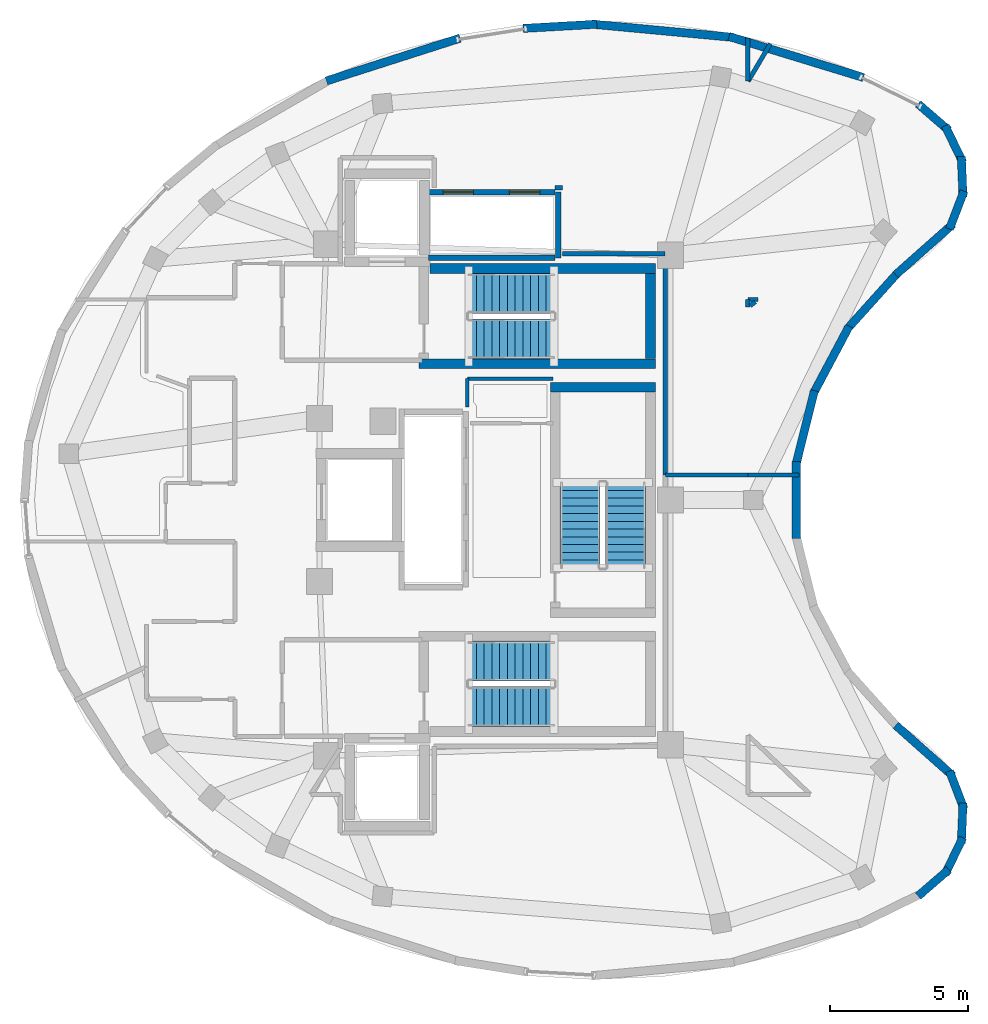
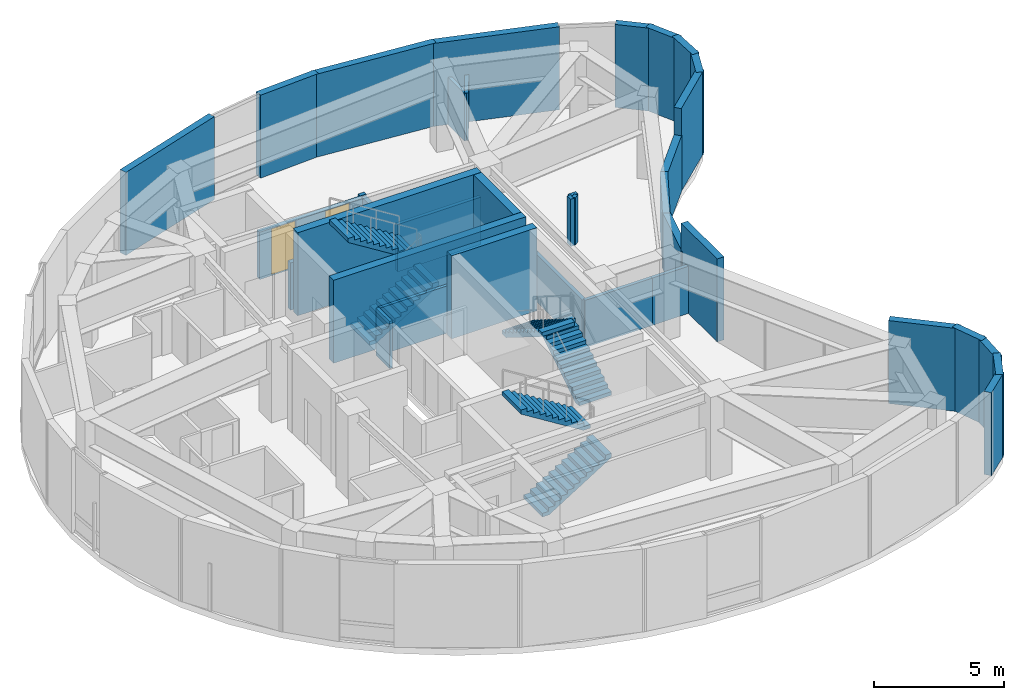
# One storey, part 5 of 6: 37 walls, 6 stair flights, 2 doors, 2 openings, 3 elements without a shape of their own.
"""IFC4 building model written with IfcOpenShell, lengths in metres."""

import ifcopenshell
import ifcopenshell.guid

model = None  # the IFC model being written
_history = None  # IfcOwnerHistory: only IFC2X3 demands one
_inside = {}  # id of a spatial element -> (the spatial element, [elements in it])
_under = {}  # id of a project, library or spatial element -> (it, [spatial elements below it])
_declared = {}  # id of a project -> (the project, [libraries it declares])
_typed = {}  # id of a type object -> (the type object, [elements of that type])
_made_of = {}  # id of a material, layer set ... -> (it, [elements and type objects made of it])


def new_model(schema):
    """Start an empty IFC model of exactly this schema.

    Asked for "IFC4X3", IfcOpenShell would pick the latest addendum, in which some entities
    have other attributes; the version numbers below select the first issue.
    IFC2X3 requires an IfcOwnerHistory on every rooted entity: one is made here for all.
    """
    global model, _history
    if schema == "IFC4X3":
        model = ifcopenshell.file(schema_version=(4, 3, 0, 0))
    else:
        model = ifcopenshell.file(schema=schema)
    _inside.clear()
    _under.clear()
    _declared.clear()
    _typed.clear()
    _made_of.clear()
    _history = None
    if model.schema == "IFC2X3":
        org = make("IfcOrganization", Name="unknown")
        user = make(
            "IfcPersonAndOrganization",
            ThePerson=make("IfcPerson", FamilyName="unknown"),
            TheOrganization=org,
        )
        app = make(
            "IfcApplication",
            ApplicationDeveloper=org,
            Version="unknown",
            ApplicationFullName="unknown",
            ApplicationIdentifier="unknown",
        )
        _history = make(
            "IfcOwnerHistory",
            OwningUser=user,
            OwningApplication=app,
            ChangeAction="ADDED",
            CreationDate=0,
        )
    return model


def make(cls, **values):
    """One entity of the class cls with the attributes given. An attribute that is None is left unset."""
    return model.create_entity(
        cls, **{name: value for name, value in values.items() if value is not None}
    )


def rooted(cls, **values):
    """An entity with a GlobalId (a new one), such as an element, a storey or a relation."""
    return make(cls, GlobalId=ifcopenshell.guid.new(), OwnerHistory=_history, **values)


def si_unit(unit_type, name, prefix=None):
    """IfcSIUnit, for example si_unit("LENGTHUNIT", "METRE", prefix="MILLI")."""
    return make("IfcSIUnit", UnitType=unit_type, Prefix=prefix, Name=name)


def assignment(units):
    """IfcUnitAssignment: the units of a project."""
    return None if units is None else make("IfcUnitAssignment", Units=units)


def point(xyz):
    """IfcCartesianPoint."""
    return None if xyz is None else make("IfcCartesianPoint", Coordinates=xyz)


def direction(xyz):
    """IfcDirection."""
    return None if xyz is None else make("IfcDirection", DirectionRatios=xyz)


def frame(location, z_axis=None, x_axis=None):
    """IfcAxis2Placement3D, a coordinate frame: its origin and axes. An axis left out is left unset."""
    return make(
        "IfcAxis2Placement3D",
        Location=point(location),
        Axis=direction(z_axis),
        RefDirection=direction(x_axis),
    )


def frame_2d(location, x_axis=None):
    """IfcAxis2Placement2D, a coordinate frame in the plane: its origin and x axis."""
    return make(
        "IfcAxis2Placement2D", Location=point(location), RefDirection=direction(x_axis)
    )


def origin():
    """The frame at (0, 0, 0) with its axes left unset."""
    return frame((0.0, 0.0, 0.0))


def place(relative_to, where):
    """IfcLocalPlacement: puts the frame where relative to a parent placement (None: the world)."""
    return make(
        "IfcLocalPlacement", PlacementRelTo=relative_to, RelativePlacement=where
    )


def context(
    kind, dimensions, precision=None, world=None, true_north=None, identifier=None
):
    """IfcGeometricRepresentationContext, for example the 3D "Model" context."""
    return make(
        "IfcGeometricRepresentationContext",
        ContextIdentifier=identifier,
        ContextType=kind,
        CoordinateSpaceDimension=dimensions,
        Precision=precision,
        WorldCoordinateSystem=world,
        TrueNorth=true_north,
    )


def subcontext(parent, identifier, kind, view, scale=None):
    """IfcGeometricRepresentationSubContext, for example "Body" below "Model"."""
    return make(
        "IfcGeometricRepresentationSubContext",
        ContextIdentifier=identifier,
        ContextType=kind,
        ParentContext=parent,
        TargetScale=scale,
        TargetView=view,
    )


def project(units=None, contexts=None):
    """IfcProject with its units and contexts."""
    return rooted(
        "IfcProject",
        Name="project",
        RepresentationContexts=contexts,
        UnitsInContext=assignment(units),
    )


def spatial(cls, under=None, at=None, **own):
    """A site, building, storey or space (cls), placed at a placement, below another one or the project."""
    s = rooted(cls, ObjectPlacement=at, **own)
    if under is not None:
        _under.setdefault(under.id(), (under, []))[1].append(s)
    return s


def polyline(points):
    """IfcPolyline through the points."""
    return make("IfcPolyline", Points=[point(p) for p in points])


def profile(cls, at=None, kind="AREA", **sizes):
    """A parametric profile (cls). Its sizes go by their IFC names, for example OverallWidth=200.0."""
    return make(cls, ProfileType=kind, Position=at, **sizes)


def rectangle(**sizes):
    """IfcRectangleProfileDef."""
    return profile("IfcRectangleProfileDef", **sizes)


def outline(outer, holes=None, kind="AREA"):
    """IfcArbitraryClosedProfileDef: a profile drawn as a closed curve; with holes, ...WithVoids."""
    if holes is None:
        return make("IfcArbitraryClosedProfileDef", ProfileType=kind, OuterCurve=outer)
    return make(
        "IfcArbitraryProfileDefWithVoids",
        ProfileType=kind,
        OuterCurve=outer,
        InnerCurves=holes,
    )


def extrude(swept, where, along, depth):
    """IfcExtrudedAreaSolid: the profile swept, set in the frame where, extruded along a direction by depth."""
    return make(
        "IfcExtrudedAreaSolid",
        SweptArea=swept,
        Position=where,
        ExtrudedDirection=direction(along),
        Depth=depth,
    )


def shape(context_of_items, identifier, shape_type, items):
    """IfcShapeRepresentation: the items that make up one representation, for example the "Body"."""
    return make(
        "IfcShapeRepresentation",
        ContextOfItems=context_of_items,
        RepresentationIdentifier=identifier,
        RepresentationType=shape_type,
        Items=items,
    )


def material(Name=None, Category=None):
    """IfcMaterial."""
    return make("IfcMaterial", Name=Name, Category=Category)


def layer(
    of_material, thickness, ventilated=None, Name=None, Category=None, Priority=None
):
    """IfcMaterialLayer: one layer of a wall or slab, of a material (None: an air gap)."""
    return make(
        "IfcMaterialLayer",
        Material=of_material,
        LayerThickness=thickness,
        IsVentilated=ventilated,
        Name=Name,
        Category=Category,
        Priority=Priority,
    )


def layer_set(layers, Name=None):
    """IfcMaterialLayerSet."""
    return make("IfcMaterialLayerSet", MaterialLayers=layers, LayerSetName=Name)


def made_of(thing, what):
    """Note that an element or type object is made of a material, layer set ...; save() writes the relation."""
    if what is not None:
        _made_of.setdefault(what.id(), (what, []))[1].append(thing)
    return thing


def type_object(cls, material=None, **own):
    """A type object (cls), such as IfcWallType, which elements share."""
    return made_of(rooted(cls, **own), material)


def element(
    cls,
    number,
    at=None,
    inside=None,
    cuts=None,
    type_object=None,
    material=None,
    context=None,
    identifier="Body",
    shape_type=None,
    held_by="IfcProductDefinitionShape",
    body=None,
    shapes=None,
    **own,
):
    """One element of the class cls, such as IfcWall. Its Tag is "e" and its number.

    at: its placement. inside: the storey or other place that contains it. cuts: it is an
    opening in that element (IfcRelVoidsElement). A single representation is given by context,
    identifier, shape_type and body (its items); several are given by shapes. held_by: the class
    of the entity that holds the representations. save() writes the other relations.
    """
    e = rooted(cls, Tag="e%d" % number, ObjectPlacement=at, **own)
    if body is not None:
        shapes = [shape(context, identifier, shape_type, body)]
    if shapes is not None:
        e.Representation = make(held_by, Representations=shapes)
    if inside is not None:
        _inside.setdefault(inside.id(), (inside, []))[1].append(e)
    if cuts is not None:
        rooted(
            "IfcRelVoidsElement", RelatingBuildingElement=cuts, RelatedOpeningElement=e
        )
    if type_object is not None:
        _typed.setdefault(type_object.id(), (type_object, []))[1].append(e)
    return made_of(e, material)


def fill(opening, filler):
    """IfcRelFillsElement: the door or window that sits in an opening."""
    return rooted(
        "IfcRelFillsElement",
        RelatingOpeningElement=opening,
        RelatedBuildingElement=filler,
    )


def aggregate(whole, parts):
    """IfcRelAggregates: a whole, such as a stair, and the parts it consists of."""
    return rooted("IfcRelAggregates", RelatingObject=whole, RelatedObjects=parts)


def save(model, path):
    """Write the relations noted so far, then the file.

    IfcRelAggregates (storeys below a building ...), IfcRelContainedInSpatialStructure (elements
    in a storey), IfcRelDefinesByType, IfcRelAssociatesMaterial and IfcRelDeclares: one each for
    every whole, place, type object, material and project.
    """
    for whole, parts in _under.values():
        aggregate(whole, parts)
    for where, things in _inside.values():
        rooted(
            "IfcRelContainedInSpatialStructure",
            RelatedElements=things,
            RelatingStructure=where,
        )
    for kind, things in _typed.values():
        rooted("IfcRelDefinesByType", RelatedObjects=things, RelatingType=kind)
    for what, things in _made_of.values():
        rooted("IfcRelAssociatesMaterial", RelatedObjects=things, RelatingMaterial=what)
    for by, libraries in _declared.values():
        rooted("IfcRelDeclares", RelatingContext=by, RelatedDefinitions=libraries)
    model.write(path)


model = new_model("IFC4")

# Units and contexts
model_context = context("Model", 3, precision=1e-05, world=origin(), true_north=direction((0.0, 1.0)))
body_context = subcontext(model_context, "Body", "Model", "MODEL_VIEW")
ifc_project = project(units=[si_unit("LENGTHUNIT", "METRE"), si_unit("AREAUNIT", "SQUARE_METRE"), si_unit("VOLUMEUNIT", "CUBIC_METRE"), si_unit("PLANEANGLEUNIT", "RADIAN"), si_unit("MASSUNIT", "GRAM", prefix="KILO")], contexts=[model_context])

# Site, building, storey
site_placement = place(None, origin())
site = spatial("IfcSite", under=ifc_project, at=site_placement, CompositionType="ELEMENT")
building_placement = place(site_placement, origin())
building = spatial("IfcBuilding", under=site, at=building_placement, Name="Korentha Bioscience Tower", CompositionType="ELEMENT")
storey_placement = place(building_placement, frame((0.0, 0.0, 327.0)))
storey = spatial("IfcBuildingStorey", under=building, at=storey_placement, Name="L75", CompositionType="ELEMENT", Elevation=327.0)

# Walls
ifc_material_1 = material(Name="Double-Stud Acoustic Gypsum", Category="gypsum")
ifc_layer_1 = layer(ifc_material_1, 0.14990234375, Name="Double-Stud Acoustic Gypsum")
ifc_layer_set_1 = layer_set([ifc_layer_1], Name="Double-Stud Acoustic Gypsum (IW-L150)")
wall_type_1 = type_object("IfcWallType", Name="Acoustic Laboratory Partition Wall 150", PredefinedType="PARTITIONING", material=ifc_layer_set_1)
wall_1_placement = place(storey_placement, frame((37.360107421875, 27.89794921875, 0.0), z_axis=(0.0, 0.0, 1.0), x_axis=(1.0, 0.0, 0.0)))
element("IfcWall", 1, at=wall_1_placement, inside=storey, type_object=wall_type_1, Name="L75 Interior Partition 031", PredefinedType="PARTITIONING", context=body_context, shape_type="SweptSolid", body=[
    extrude(rectangle(XDim=2.98779296875, YDim=0.14990234375, at=frame_2d((1.493896484375, 0.0))), origin(), (0.0, 0.0, 1.0), 2.219970703125),
])
wall_2_placement = place(storey_placement, frame((40.352294921875, 27.89794921875, 0.0), z_axis=(0.0, 0.0, 1.0), x_axis=(1.0, 0.0, 0.0)))
element("IfcWall", 2, at=wall_2_placement, inside=storey, type_object=wall_type_1, Name="L75 Interior Partition 032", PredefinedType="PARTITIONING", context=body_context, shape_type="SweptSolid", body=[
    extrude(rectangle(XDim=1.84130859375, YDim=0.14990234375, at=frame_2d((0.920654296875, 0.0))), origin(), (0.0, 0.0, 1.0), 2.219970703125),
])
ifc_material_2 = material(Name="Gypsum-Clad Steel Stud", Category="steel")
ifc_layer_2 = layer(ifc_material_2, 0.159912109375, Name="Gypsum-Clad Steel Stud")
ifc_layer_set_2 = layer_set([ifc_layer_2], Name="Gypsum-Clad Steel Stud (IW-C160)")
wall_type_2 = type_object("IfcWallType", Name="Fire-Rated Corridor Partition Wall 160", PredefinedType="PARTITIONING", material=ifc_layer_set_2)
wall_3_placement = place(storey_placement, frame((40.347900390625, 43.708251953125, 0.0), z_axis=(0.0, 0.0, 1.0), x_axis=(0.0, -1.0, 0.0)))
element("IfcWall", 3, at=wall_3_placement, inside=storey, type_object=wall_type_2, Name="L75 Interior Partition 039", PredefinedType="PARTITIONING", context=body_context, shape_type="SweptSolid", body=[
    extrude(rectangle(XDim=1.55908203125, YDim=0.159912109375, at=frame_2d((0.779541015625, 0.0))), origin(), (0.0, 0.0, 1.0), 2.219970703125),
])
wall_4_placement = place(storey_placement, frame((40.35546875, 42.147216796875, 0.0), z_axis=(0.0, 0.0, 1.0), x_axis=(0.509747160932, 0.860324259754, 0.0)))
element("IfcWall", 4, at=wall_4_placement, inside=storey, type_object=wall_type_2, Name="L75 Interior Partition 040", PredefinedType="PARTITIONING", context=body_context, shape_type="SweptSolid", body=[
    extrude(rectangle(XDim=1.5751953125, YDim=0.159912109375, at=frame_2d((0.78759765625, 0.0))), origin(), (0.0, 0.0, 1.0), 2.219970703125),
])
wall_5_placement = place(storey_placement, frame((37.360107421875, 27.907958984375, 0.0), z_axis=(0.0, 0.0, 1.0), x_axis=(0.0, 1.0, 0.0)))
element("IfcWall", 5, at=wall_5_placement, inside=storey, type_object=wall_type_2, Name="L75 Interior Partition 041", PredefinedType="PARTITIONING", context=body_context, shape_type="SweptSolid", body=[
    extrude(rectangle(XDim=7.991943359375, YDim=0.159912109375, at=frame_2d((3.99609375, 0.0))), origin(), (0.0, 0.0, 1.0), 2.219970703125),
])
wall_6_placement = place(storey_placement, frame((37.35009765625, 35.909912109375, 0.0), z_axis=(0.0, 0.0, 1.0), x_axis=(-1.0, 0.0, 0.0)))
element("IfcWall", 6, at=wall_6_placement, inside=storey, type_object=wall_type_2, Name="L75 Interior Partition 042", PredefinedType="PARTITIONING", context=body_context, shape_type="SweptSolid", body=[
    extrude(rectangle(XDim=3.7001953125, YDim=0.159912109375, at=frame_2d((1.85009765625, 0.0))), origin(), (0.0, 0.0, 1.0), 2.219970703125),
])
wall_7_placement = place(storey_placement, frame((33.639892578125, 38.300048828125, 0.0), z_axis=(0.0, 0.0, 1.0), x_axis=(-1.0, 0.0, 0.0)))
element("IfcWall", 7, at=wall_7_placement, inside=storey, type_object=wall_type_2, Name="L75 Interior Partition 043", PredefinedType="PARTITIONING", context=body_context, shape_type="SweptSolid", body=[
    extrude(rectangle(XDim=0.269775390625, YDim=0.159912109375, at=frame_2d((0.134765625, 0.0))), origin(), (0.0, 0.0, 1.0), 2.219970703125),
])
wall_8_placement = place(storey_placement, frame((40.430908203125, 34.029052734375, 0.0), z_axis=(0.0, 0.0, 1.0), x_axis=(0.789870612442, 0.613273524294, 0.0)))
element("IfcWall", 8, at=wall_8_placement, inside=storey, type_object=wall_type_2, Name="L75 Interior Partition 050", PredefinedType="PARTITIONING", context=body_context, shape_type="SweptSolid", body=[
    extrude(rectangle(XDim=0.22802734375, YDim=0.159912109375, at=frame_2d((0.114013671875, 0.0))), origin(), (0.0, 0.0, 1.0), 2.219970703125),
])
wall_9_placement = place(storey_placement, frame((40.7060546875, 34.251953125, 0.0), z_axis=(0.0, 0.0, 1.0), x_axis=(-1.0, 0.0, 0.0)))
element("IfcWall", 9, at=wall_9_placement, inside=storey, type_object=wall_type_2, Name="L75 Interior Partition 051", PredefinedType="PARTITIONING", context=body_context, shape_type="SweptSolid", body=[
    extrude(rectangle(XDim=0.353759765625, YDim=0.159912109375, at=frame_2d((0.1767578125, 0.0))), origin(), (0.0, 0.0, 1.0), 2.219970703125),
])
wall_10_placement = place(storey_placement, frame((40.347900390625, 34.247802734375, 0.0), z_axis=(0.0, 0.0, 1.0), x_axis=(0.0, -1.0, 0.0)))
element("IfcWall", 10, at=wall_10_placement, inside=storey, type_object=wall_type_2, Name="L75 Interior Partition 052", PredefinedType="PARTITIONING", context=body_context, shape_type="SweptSolid", body=[
    extrude(rectangle(XDim=0.27490234375, YDim=0.159912109375, at=frame_2d((0.137451171875, 0.0))), origin(), (0.0, 0.0, 1.0), 2.219970703125),
])
ifc_material_3 = material(Name="Honed Limestone Precast Concrete C40", Category="masonry")
ifc_layer_3 = layer(ifc_material_3, 0.300048828125, Name="Honed Limestone Precast Concrete C40")
ifc_layer_set_3 = layer_set([ifc_layer_3], Name="Honed Limestone Precast Concrete C40 (EW-ST300)")
wall_type_3 = type_object("IfcWallType", Name="Honed Limestone Cavity Spandrel Wall 300", PredefinedType="STANDARD", material=ifc_layer_set_3)
wall_11_placement = place(storey_placement, frame((44.52880859375, 42.28271484375, 0.0), z_axis=(0.0, 0.0, 1.0), x_axis=(-0.956396659888, 0.292070931377, 0.0)))
element("IfcWall", 11, at=wall_11_placement, inside=storey, type_object=wall_type_3, Name="L75 Limestone Perimeter Closure Wall 02", PredefinedType="STANDARD", context=body_context, shape_type="SweptSolid", body=[
    extrude(rectangle(XDim=5.084716796875, YDim=0.300048828125, at=frame_2d((2.54248046875, 0.0))), origin(), (0.0, 0.0, 1.0), 3.89990234375),
])
wall_12_placement = place(storey_placement, frame((39.849609375, 43.731689453125, 0.0), z_axis=(0.0, 0.0, 1.0), x_axis=(-0.995644917658, 0.093226594605, 0.0)))
element("IfcWall", 12, at=wall_12_placement, inside=storey, type_object=wall_type_3, Name="L75 Limestone Perimeter Closure Wall 04", PredefinedType="STANDARD", context=body_context, shape_type="SweptSolid", body=[
    extrude(rectangle(XDim=5.16943359375, YDim=0.300048828125, at=frame_2d((2.584716796875, 0.0))), origin(), (0.0, 0.0, 1.0), 3.89990234375),
])
wall_13_placement = place(storey_placement, frame((34.883056640625, 44.210205078125, 0.0), z_axis=(0.0, 0.0, 1.0), x_axis=(-0.998415335588, -0.056274485014, 0.0)))
element("IfcWall", 13, at=wall_13_placement, inside=storey, type_object=wall_type_3, Name="L75 Limestone Perimeter Closure Wall 06", PredefinedType="STANDARD", context=body_context, shape_type="SweptSolid", body=[
    extrude(rectangle(XDim=2.67236328125, YDim=0.300048828125, at=frame_2d((1.336181640625, 0.0))), origin(), (0.0, 0.0, 1.0), 3.89990234375),
])
wall_14_placement = place(storey_placement, frame((29.935791015625, 43.705322265625, 0.0), z_axis=(0.0, 0.0, 1.0), x_axis=(-0.952418563318, -0.304793176183, 0.0)))
element("IfcWall", 14, at=wall_14_placement, inside=storey, type_object=wall_type_3, Name="L75 Limestone Perimeter Closure Wall 08", PredefinedType="STANDARD", context=body_context, shape_type="SweptSolid", body=[
    extrude(rectangle(XDim=5.07666015625, YDim=0.300048828125, at=frame_2d((2.538330078125, 0.0))), origin(), (0.0, 0.0, 1.0), 3.89990234375),
])
wall_15_placement = place(storey_placement, frame((46.50634765625, 12.673095703125, 0.0), z_axis=(0.0, 0.0, 1.0), x_axis=(0.756024368971, 0.654543469543, 0.0)))
element("IfcWall", 15, at=wall_15_placement, inside=storey, type_object=wall_type_3, Name="L75 Limestone Perimeter Closure Wall 37", PredefinedType="STANDARD", context=body_context, shape_type="SweptSolid", body=[
    extrude(rectangle(XDim=1.465087890625, YDim=0.300048828125, at=frame_2d((0.732421875, 0.0))), origin(), (0.0, 0.0, 1.0), 3.89990234375),
])
wall_16_placement = place(storey_placement, frame((47.484130859375, 13.462890625, 0.0), z_axis=(0.0, 0.0, 1.0), x_axis=(0.434641909689, 0.900603359056, 0.0)))
element("IfcWall", 16, at=wall_16_placement, inside=storey, type_object=wall_type_3, Name="L75 Limestone Perimeter Closure Wall 38", PredefinedType="STANDARD", context=body_context, shape_type="SweptSolid", body=[
    extrude(rectangle(XDim=1.465576171875, YDim=0.300048828125, at=frame_2d((0.73291015625, 0.0))), origin(), (0.0, 0.0, 1.0), 3.89990234375),
])
for number, where, z_axis, x_axis, name in (
    (17, (48.069091796875, 14.57568359375, 0.0), (0.0, 0.0, 1.0), (0.041817648848, 0.999125259537, 0.0), "L75 Limestone Perimeter Closure Wall 39"),
    (18, (48.164794921875, 15.8291015625, 0.0), (0.0, 0.0, 1.0), (-0.357851279085, 0.933778593703, 0.0), "L75 Limestone Perimeter Closure Wall 40"),
):
    element("IfcWall", number, at=place(storey_placement, frame(where, z_axis=z_axis, x_axis=x_axis)), inside=storey, type_object=wall_type_3, Name=name, PredefinedType="STANDARD", context=body_context, shape_type="SweptSolid", body=[
        extrude(rectangle(XDim=1.46533203125, YDim=0.300048828125, at=frame_2d((0.732666015625, 0.0))), origin(), (0.0, 0.0, 1.0), 3.89990234375),
    ])
wall_17_placement = place(storey_placement, frame((47.7666015625, 17.014892578125, 0.0), z_axis=(0.0, 0.0, 1.0), x_axis=(-0.748002610474, 0.663695784771, 0.0)))
element("IfcWall", 19, at=wall_17_placement, inside=storey, type_object=wall_type_3, Name="L75 Limestone Perimeter Closure Wall 41", PredefinedType="STANDARD", context=body_context, shape_type="SweptSolid", body=[
    extrude(rectangle(XDim=2.7685546875, YDim=0.300048828125, at=frame_2d((1.38427734375, 0.0))), origin(), (0.0, 0.0, 1.0), 3.89990234375),
])
wall_18_placement = place(storey_placement, frame((42.09912109375, 25.61279296875, 0.0), z_axis=(0.0, 0.0, 1.0), x_axis=(0.0, 1.0, 0.0)))
element("IfcWall", 20, at=wall_18_placement, inside=storey, type_object=wall_type_3, Name="L75 Limestone Perimeter Closure Wall 49", PredefinedType="STANDARD", context=body_context, shape_type="SweptSolid", body=[
    extrude(rectangle(XDim=2.7744140625, YDim=0.300048828125, at=frame_2d((1.38720703125, 0.0))), origin(), (0.0, 0.0, 1.0), 3.89990234375),
])
for number, where, z_axis, x_axis, name in (
    (21, (42.083984375, 28.263427734375, 0.0), (0.0, 0.0, 1.0), (0.241873086834, 0.970307894364, 0.0), "L75 Limestone Perimeter Closure Wall 51"),
    (22, (42.71044921875, 30.83935546875, 0.0), (0.0, 0.0, 1.0), (0.469423260296, 0.882973274053, 0.0), "L75 Limestone Perimeter Closure Wall 53"),
    (23, (43.94140625, 33.18701171875, 0.0), (0.0, 0.0, 1.0), (0.669139714478, 0.743136624389, 0.0), "L75 Limestone Perimeter Closure Wall 55"),
):
    element("IfcWall", number, at=place(storey_placement, frame(where, z_axis=z_axis, x_axis=x_axis)), inside=storey, type_object=wall_type_3, Name=name, PredefinedType="STANDARD", context=body_context, shape_type="SweptSolid", body=[
        extrude(rectangle(XDim=2.774658203125, YDim=0.300048828125, at=frame_2d((1.38720703125, 0.0))), origin(), (0.0, 0.0, 1.0), 2.625),
    ])
wall_19_placement = place(storey_placement, frame((45.69580078125, 35.147705078125, 0.0), z_axis=(0.0, 0.0, 1.0), x_axis=(0.748002610474, 0.663695784771, 0.0)))
element("IfcWall", 24, at=wall_19_placement, inside=storey, type_object=wall_type_3, Name="L75 Limestone Perimeter Closure Wall 57", PredefinedType="STANDARD", context=body_context, shape_type="SweptSolid", body=[
    extrude(rectangle(XDim=2.7685546875, YDim=0.300048828125, at=frame_2d((1.38427734375, 0.0))), origin(), (0.0, 0.0, 1.0), 3.89990234375),
])
for number, where, z_axis, x_axis, name in (
    (25, (47.640380859375, 36.802490234375, 0.0), (0.0, 0.0, 1.0), (0.357851279085, 0.933778593703, 0.0), "L75 Limestone Perimeter Closure Wall 59"),
    (26, (48.13037109375, 37.960205078125, 0.0), (0.0, 0.0, 1.0), (-0.041817648848, 0.999125259537, 0.0), "L75 Limestone Perimeter Closure Wall 60"),
):
    element("IfcWall", number, at=place(storey_placement, frame(where, z_axis=z_axis, x_axis=x_axis)), inside=storey, type_object=wall_type_3, Name=name, PredefinedType="STANDARD", context=body_context, shape_type="SweptSolid", body=[
        extrude(rectangle(XDim=1.46533203125, YDim=0.300048828125, at=frame_2d((0.732666015625, 0.0))), origin(), (0.0, 0.0, 1.0), 3.89990234375),
    ])
wall_20_placement = place(storey_placement, frame((48.12109375, 39.21728515625, 0.0), z_axis=(0.0, 0.0, 1.0), x_axis=(-0.434641909689, 0.900603359056, 0.0)))
element("IfcWall", 27, at=wall_20_placement, inside=storey, type_object=wall_type_3, Name="L75 Limestone Perimeter Closure Wall 61", PredefinedType="STANDARD", context=body_context, shape_type="SweptSolid", body=[
    extrude(rectangle(XDim=1.465576171875, YDim=0.300048828125, at=frame_2d((0.73291015625, 0.0))), origin(), (0.0, 0.0, 1.0), 3.89990234375),
])
wall_21_placement = place(storey_placement, frame((47.614013671875, 40.367919921875, 0.0), z_axis=(0.0, 0.0, 1.0), x_axis=(-0.756024368971, 0.654543469543, 0.0)))
element("IfcWall", 28, at=wall_21_placement, inside=storey, type_object=wall_type_3, Name="L75 Limestone Perimeter Closure Wall 62", PredefinedType="STANDARD", context=body_context, shape_type="SweptSolid", body=[
    extrude(rectangle(XDim=1.465087890625, YDim=0.300048828125, at=frame_2d((0.732421875, 0.0))), origin(), (0.0, 0.0, 1.0), 3.89990234375),
])
ifc_material_4 = material(Name="Autoclaved Aerated Concrete Block C25", Category="concrete")
ifc_layer_4 = layer(ifc_material_4, 0.199951171875, Name="Autoclaved Aerated Concrete Block C25")
ifc_layer_set_4 = layer_set([ifc_layer_4], Name="Autoclaved Aerated Concrete Block C25 (IW-S200)")
wall_type_4 = type_object("IfcWallType", Name="Lift and Riser Shaft Enclosure Wall 200", PredefinedType="PARTITIONING", material=ifc_layer_set_4)
wall_22_placement = place(storey_placement, frame((33.489990234375, 35.760009765625, 0.0), z_axis=(0.0, 0.0, 1.0), x_axis=(0.0, 1.0, 0.0)))
element("IfcWall", 29, at=wall_22_placement, inside=storey, type_object=wall_type_4, Name="L75 Lift Bank OBS Shaft Wall +X", PredefinedType="PARTITIONING", context=body_context, shape_type="SweptSolid", body=[
    extrude(rectangle(XDim=2.3798828125, YDim=0.199951171875, at=frame_2d((1.18994140625, 0.0))), origin(), (0.0, 0.0, 1.0), 2.219970703125),
])
wall_23_placement = place(storey_placement, frame((28.800048828125, 35.760009765625, 0.0), z_axis=(0.0, 0.0, 1.0), x_axis=(1.0, 0.0, 0.0)))
element("IfcWall", 30, at=wall_23_placement, inside=storey, type_object=wall_type_4, Name="L75 Lift Bank OBS Shaft Wall -Y", PredefinedType="PARTITIONING", context=body_context, shape_type="SweptSolid", body=[
    extrude(rectangle(XDim=4.570068359375, YDim=0.199951171875, at=frame_2d((2.28515625, 0.0))), origin(), (0.0, 0.0, 1.0), 2.219970703125),
])

# Wall, openings, doors
wall_24_placement = place(storey_placement, frame((28.800048828125, 38.139892578125, 0.0), z_axis=(0.0, 0.0, 1.0), x_axis=(1.0, 0.0, 0.0)))
wall_24 = element("IfcWall", 31, at=wall_24_placement, inside=storey, type_object=wall_type_4, Name="L75 Lift Bank OBS Shaft Wall +Y", PredefinedType="PARTITIONING", context=body_context, shape_type="SweptSolid", body=[
    extrude(rectangle(XDim=4.570068359375, YDim=0.199951171875, at=frame_2d((2.28515625, 0.0))), origin(), (0.0, 0.0, 1.0), 2.219970703125),
])
opening_1_placement = place(wall_24_placement, frame((0.52001953125, 0.0, 0.0)))
opening_1 = element("IfcOpeningElement", 32, at=opening_1_placement, cuts=wall_24, Name="Opening LD-11", PredefinedType="OPENING", context=body_context, shape_type="SweptSolid", body=[
    extrude(rectangle(XDim=1.10009765625, YDim=2.199951171875, at=frame_2d((0.550048828125, 1.10009765625))), frame((0.0, 0.11474609375, 0.0), z_axis=(0.0, -1.0, 0.0), x_axis=(1.0, 0.0, 0.0)), (0.0, 0.0, 1.0), 0.229736328125),
])
opening_2_placement = place(wall_24_placement, frame((2.919921875, 0.0, 0.0)))
opening_2 = element("IfcOpeningElement", 33, at=opening_2_placement, cuts=wall_24, Name="Opening LD-11", PredefinedType="OPENING", context=body_context, shape_type="SweptSolid", body=[
    extrude(rectangle(XDim=1.10009765625, YDim=2.199951171875, at=frame_2d((0.550048828125, 1.10009765625))), frame((0.0, 0.11474609375, 0.0), z_axis=(0.0, -1.0, 0.0), x_axis=(1.0, 0.0, 0.0)), (0.0, 0.0, 1.0), 0.229736328125),
])
ifc_material_5 = material(Name="Brushed Stainless Steel 304", Category="steel")
door_type = type_object("IfcDoorType", Name="Passenger Lift Sliding Landing Door 1100x2200", OperationType="DOUBLE_DOOR_SLIDING", PredefinedType="DOOR", material=ifc_material_5)
door_1_placement = place(opening_1_placement, origin())
door_1 = element("IfcDoor", 34, at=door_1_placement, inside=storey, type_object=door_type, Name="L75 PL-X1 Sliding Lift Landing Door", OperationType="DOUBLE_DOOR_SLIDING", OverallHeight=2.199951171875, OverallWidth=1.10009765625, PredefinedType="DOOR", context=body_context, shape_type="SweptSolid", body=[
    extrude(rectangle(XDim=1.10009765625, YDim=2.199951171875, at=frame_2d((0.550048828125, 1.10009765625))), frame((0.0, 0.02490234375, 0.0), z_axis=(0.0, -1.0, 0.0), x_axis=(1.0, 0.0, 0.0)), (0.0, 0.0, 1.0), 0.050048828125),
])
fill(opening_1, door_1)
door_2_placement = place(opening_2_placement, origin())
door_2 = element("IfcDoor", 35, at=door_2_placement, inside=storey, type_object=door_type, Name="L75 PL-X2 Sliding Lift Landing Door", OperationType="DOUBLE_DOOR_SLIDING", OverallHeight=2.199951171875, OverallWidth=1.10009765625, PredefinedType="DOOR", context=body_context, shape_type="SweptSolid", body=[
    extrude(rectangle(XDim=1.10009765625, YDim=2.199951171875, at=frame_2d((0.550048828125, 1.10009765625))), frame((0.0, 0.02490234375, 0.0), z_axis=(0.0, -1.0, 0.0), x_axis=(1.0, 0.0, 0.0)), (0.0, 0.0, 1.0), 0.050048828125),
])
fill(opening_2, door_2)

# Walls
ifc_material_6 = material(Name="Concrete C50", Category="concrete")
ifc_layer_5 = layer(ifc_material_6, 0.35009765625, Name="Concrete C50")
ifc_layer_set_5 = layer_set([ifc_layer_5], Name="Concrete C50 (CW-C50)")
wall_type_5 = type_object("IfcWallType", Name="Upper Core Shear Wall 350", PredefinedType="SHEAR", material=ifc_layer_set_5)
wall_25_placement = place(storey_placement, frame((28.85205078125, 35.375, 0.0), z_axis=(0.0, 0.0, 1.0), x_axis=(1.0, 0.0, 0.0)))
element("IfcWall", 36, at=wall_25_placement, inside=storey, type_object=wall_type_5, Name="L75 Core Shear Wall ST1-N", PredefinedType="SHEAR", context=body_context, shape_type="SweptSolid", body=[
    extrude(rectangle(XDim=8.14794921875, YDim=0.35009765625, at=frame_2d((4.073974609375, 0.0))), origin(), (0.0, 0.0, 1.0), 3.89990234375),
])
wall_26_placement = place(storey_placement, frame((28.449951171875, 31.925048828125, 0.0), z_axis=(0.0, 0.0, 1.0), x_axis=(1.0, 0.0, 0.0)))
element("IfcWall", 37, at=wall_26_placement, inside=storey, type_object=wall_type_5, Name="L75 Core Shear Wall ST1-S", PredefinedType="SHEAR", context=body_context, shape_type="SweptSolid", body=[
    extrude(rectangle(XDim=8.550048828125, YDim=0.35009765625, at=frame_2d((4.27490234375, 0.0))), origin(), (0.0, 0.0, 1.0), 3.89990234375),
])
wall_27_placement = place(storey_placement, frame((36.824951171875, 32.110107421875, 0.0), z_axis=(0.0, 0.0, 1.0), x_axis=(0.0, 1.0, 0.0)))
element("IfcWall", 38, at=wall_27_placement, inside=storey, type_object=wall_type_5, Name="L75 Core Shear Wall ST1-E", PredefinedType="SHEAR", context=body_context, shape_type="SweptSolid", body=[
    extrude(rectangle(XDim=3.079833984375, YDim=0.35009765625, at=frame_2d((1.5400390625, 0.0))), origin(), (0.0, 0.0, 1.0), 3.89990234375),
])
wall_28_placement = place(storey_placement, frame((33.199951171875, 31.074951171875, 0.0), z_axis=(0.0, 0.0, 1.0), x_axis=(1.0, 0.0, 0.0)))
element("IfcWall", 39, at=wall_28_placement, inside=storey, type_object=wall_type_5, Name="L75 Core Shear Wall ST3-N", PredefinedType="SHEAR", context=body_context, shape_type="SweptSolid", body=[
    extrude(rectangle(XDim=3.800048828125, YDim=0.35009765625, at=frame_2d((1.89990234375, 0.0))), origin(), (0.0, 0.0, 1.0), 3.89990234375),
])
ifc_material_7 = material(Name="Cement-Board Steel Stud", Category="steel")
ifc_layer_6 = layer(ifc_material_7, 0.1298828125, Name="Cement-Board Steel Stud")
ifc_layer_set_6 = layer_set([ifc_layer_6], Name="Cement-Board Steel Stud (IW-W130)")
wall_type_6 = type_object("IfcWallType", Name="Wet-Area Moisture-Resistant Partition 130", PredefinedType="PARTITIONING", material=ifc_layer_set_6)
wall_29_placement = place(storey_placement, frame((30.199951171875, 31.389892578125, 0.0), z_axis=(0.0, 0.0, 1.0), x_axis=(1.0, 0.0, 0.0)))
element("IfcWall", 40, at=wall_29_placement, inside=storey, type_object=wall_type_6, Name="L75 Interior Partition 007", PredefinedType="PARTITIONING", context=body_context, shape_type="SweptSolid", body=[
    extrude(rectangle(XDim=3.10009765625, YDim=0.1298828125, at=frame_2d((1.550048828125, 0.0))), origin(), (0.0, 0.0, 1.0), 2.219970703125),
])
wall_30_placement = place(storey_placement, frame((30.199951171875, 30.360107421875, 0.0), z_axis=(0.0, 0.0, 1.0), x_axis=(0.0, 1.0, 0.0)))
element("IfcWall", 41, at=wall_30_placement, inside=storey, type_object=wall_type_6, Name="L75 Interior Partition 009", PredefinedType="PARTITIONING", context=body_context, shape_type="SweptSolid", body=[
    extrude(rectangle(XDim=1.02978515625, YDim=0.1298828125, at=frame_2d((0.514892578125, 0.0))), origin(), (0.0, 0.0, 1.0), 2.219970703125),
])

# Stair, stair flights
ifc_material_8 = material(Name="Precast Concrete C50", Category="concrete")
stair_type = type_object("IfcStairType", Name="Core Exit Dog-Leg Stair 1450", PredefinedType="HALF_TURN_STAIR", material=ifc_material_8)
stair_1_placement = place(storey_placement, origin())
stair_1 = element("IfcStair", 42, at=stair_1_placement, inside=storey, type_object=stair_type, Name="L75 Tower North Pressurized Exit Stair ST-1", PredefinedType="HALF_TURN_STAIR")
stair_flight_type = type_object("IfcStairFlightType", Name="Core Exit Dog-Leg Stair 1450 Flight", PredefinedType="STRAIGHT", material=ifc_material_8)
stair_flight_1_placement = place(storey_placement, frame((30.25, 32.824951171875, 0.0), z_axis=(0.0, 0.0, 1.0), x_axis=(1.0, 0.0, 0.0)))
stair_flight_1 = element("IfcStairFlight", 43, at=stair_flight_1_placement, type_object=stair_flight_type, Name="ST-1 flight 1", NumberOfRisers=12, NumberOfTreads=11, PredefinedType="STRAIGHT", RiserHeight=0.175, TreadLength=0.28, context=body_context, shape_type="SweptSolid", body=[
    extrude(outline(polyline([(0.0, 0.0), (0.0, 0.175048828125), (0.280029296875, 0.175048828125), (0.280029296875, 0.35009765625), (0.56005859375, 0.35009765625), (0.56005859375, 0.52490234375), (0.840087890625, 0.52490234375), (0.840087890625, 0.699951171875), (1.1201171875, 0.699951171875), (1.1201171875, 0.875), (1.39990234375, 0.875), (1.39990234375, 1.050048828125), (1.679931640625, 1.050048828125), (1.679931640625, 1.22509765625), (1.9599609375, 1.22509765625), (1.9599609375, 1.39990234375), (2.239990234375, 1.39990234375), (2.239990234375, 1.574951171875), (2.52001953125, 1.574951171875), (2.52001953125, 1.75), (2.800048828125, 1.75), (2.800048828125, 1.925048828125), (3.080078125, 1.925048828125), (3.080078125, 2.10009765625), (3.080078125, 1.736328125), (0.3017578125, 0.0), (0.0, 0.0)])), frame((0.0, 0.72509765625, 0.0), z_axis=(0.0, -1.0, 0.0), x_axis=(1.0, 0.0, 0.0)), (0.0, 0.0, 1.0), 1.449951171875),
])
stair_flight_2_placement = place(storey_placement, frame((33.330078125, 34.47509765625, 2.10009765625), z_axis=(0.0, 0.0, 1.0), x_axis=(-1.0, 0.0, 0.0)))
stair_flight_2 = element("IfcStairFlight", 44, at=stair_flight_2_placement, type_object=stair_flight_type, Name="ST-1 flight 2", NumberOfRisers=12, NumberOfTreads=11, PredefinedType="STRAIGHT", RiserHeight=0.175, TreadLength=0.28, context=body_context, shape_type="SweptSolid", body=[
    extrude(outline(polyline([(0.0, 0.0), (0.0, 0.175048828125), (0.280029296875, 0.175048828125), (0.280029296875, 0.35009765625), (0.56005859375, 0.35009765625), (0.56005859375, 0.52490234375), (0.840087890625, 0.52490234375), (0.840087890625, 0.699951171875), (1.1201171875, 0.699951171875), (1.1201171875, 0.875), (1.39990234375, 0.875), (1.39990234375, 1.050048828125), (1.679931640625, 1.050048828125), (1.679931640625, 1.22509765625), (1.9599609375, 1.22509765625), (1.9599609375, 1.39990234375), (2.239990234375, 1.39990234375), (2.239990234375, 1.574951171875), (2.52001953125, 1.574951171875), (2.52001953125, 1.75), (2.800048828125, 1.75), (2.800048828125, 1.925048828125), (3.080078125, 1.925048828125), (3.080078125, 2.10009765625), (3.080078125, 1.736328125), (0.3017578125, 0.0), (0.0, 0.0)])), frame((0.0, 0.72509765625, 0.0), z_axis=(0.0, -1.0, 0.0), x_axis=(1.0, 0.0, 0.0)), (0.0, 0.0, 1.0), 1.449951171875),
])
aggregate(stair_1, [stair_flight_1, stair_flight_2])

stair_2_placement = place(storey_placement, origin())
stair_2 = element("IfcStair", 45, at=stair_2_placement, inside=storey, type_object=stair_type, Name="L75 Tower South Pressurized Exit Stair ST-2", PredefinedType="HALF_TURN_STAIR")
stair_flight_3_placement = place(storey_placement, frame((30.25, 19.52490234375, 0.0), z_axis=(0.0, 0.0, 1.0), x_axis=(1.0, 0.0, 0.0)))
stair_flight_3 = element("IfcStairFlight", 46, at=stair_flight_3_placement, type_object=stair_flight_type, Name="ST-2 flight 1", NumberOfRisers=12, NumberOfTreads=11, PredefinedType="STRAIGHT", RiserHeight=0.175, TreadLength=0.28, context=body_context, shape_type="SweptSolid", body=[
    extrude(outline(polyline([(0.0, 0.0), (0.0, 0.175048828125), (0.280029296875, 0.175048828125), (0.280029296875, 0.35009765625), (0.56005859375, 0.35009765625), (0.56005859375, 0.52490234375), (0.840087890625, 0.52490234375), (0.840087890625, 0.699951171875), (1.1201171875, 0.699951171875), (1.1201171875, 0.875), (1.39990234375, 0.875), (1.39990234375, 1.050048828125), (1.679931640625, 1.050048828125), (1.679931640625, 1.22509765625), (1.9599609375, 1.22509765625), (1.9599609375, 1.39990234375), (2.239990234375, 1.39990234375), (2.239990234375, 1.574951171875), (2.52001953125, 1.574951171875), (2.52001953125, 1.75), (2.800048828125, 1.75), (2.800048828125, 1.925048828125), (3.080078125, 1.925048828125), (3.080078125, 2.10009765625), (3.080078125, 1.736328125), (0.3017578125, 0.0), (0.0, 0.0)])), frame((0.0, 0.72509765625, 0.0), z_axis=(0.0, -1.0, 0.0), x_axis=(1.0, 0.0, 0.0)), (0.0, 0.0, 1.0), 1.449951171875),
])
stair_flight_4_placement = place(storey_placement, frame((33.330078125, 21.175048828125, 2.10009765625), z_axis=(0.0, 0.0, 1.0), x_axis=(-1.0, 0.0, 0.0)))
stair_flight_4 = element("IfcStairFlight", 47, at=stair_flight_4_placement, type_object=stair_flight_type, Name="ST-2 flight 2", NumberOfRisers=12, NumberOfTreads=11, PredefinedType="STRAIGHT", RiserHeight=0.175, TreadLength=0.28, context=body_context, shape_type="SweptSolid", body=[
    extrude(outline(polyline([(0.0, 0.0), (0.0, 0.175048828125), (0.280029296875, 0.175048828125), (0.280029296875, 0.35009765625), (0.56005859375, 0.35009765625), (0.56005859375, 0.52490234375), (0.840087890625, 0.52490234375), (0.840087890625, 0.699951171875), (1.1201171875, 0.699951171875), (1.1201171875, 0.875), (1.39990234375, 0.875), (1.39990234375, 1.050048828125), (1.679931640625, 1.050048828125), (1.679931640625, 1.22509765625), (1.9599609375, 1.22509765625), (1.9599609375, 1.39990234375), (2.239990234375, 1.39990234375), (2.239990234375, 1.574951171875), (2.52001953125, 1.574951171875), (2.52001953125, 1.75), (2.800048828125, 1.75), (2.800048828125, 1.925048828125), (3.080078125, 1.925048828125), (3.080078125, 2.10009765625), (3.080078125, 1.736328125), (0.3017578125, 0.0), (0.0, 0.0)])), frame((0.0, 0.72509765625, 0.0), z_axis=(0.0, -1.0, 0.0), x_axis=(1.0, 0.0, 0.0)), (0.0, 0.0, 1.0), 1.449951171875),
])
aggregate(stair_2, [stair_flight_3, stair_flight_4])

stair_3_placement = place(storey_placement, origin())
stair_3 = element("IfcStair", 48, at=stair_3_placement, inside=storey, type_object=stair_type, Name="L75 Tower Central Pressurized Exit Stair ST-3", PredefinedType="HALF_TURN_STAIR")
stair_flight_5_placement = place(storey_placement, frame((35.925048828125, 24.550048828125, 0.0), z_axis=(0.0, 0.0, 1.0), x_axis=(0.0, 1.0, 0.0)))
stair_flight_5 = element("IfcStairFlight", 49, at=stair_flight_5_placement, type_object=stair_flight_type, Name="ST-3 flight 1", NumberOfRisers=12, NumberOfTreads=11, PredefinedType="STRAIGHT", RiserHeight=0.175, TreadLength=0.28, context=body_context, shape_type="SweptSolid", body=[
    extrude(outline(polyline([(0.0, 0.0), (0.0, 0.175048828125), (0.280029296875, 0.175048828125), (0.280029296875, 0.35009765625), (0.56005859375, 0.35009765625), (0.56005859375, 0.52490234375), (0.840087890625, 0.52490234375), (0.840087890625, 0.699951171875), (1.1201171875, 0.699951171875), (1.1201171875, 0.875), (1.39990234375, 0.875), (1.39990234375, 1.050048828125), (1.679931640625, 1.050048828125), (1.679931640625, 1.22509765625), (1.9599609375, 1.22509765625), (1.9599609375, 1.39990234375), (2.239990234375, 1.39990234375), (2.239990234375, 1.574951171875), (2.52001953125, 1.574951171875), (2.52001953125, 1.75), (2.800048828125, 1.75), (2.800048828125, 1.925048828125), (3.080078125, 1.925048828125), (3.080078125, 2.10009765625), (3.080078125, 1.736328125), (0.3017578125, 0.0), (0.0, 0.0)])), frame((0.0, 0.72509765625, 0.0), z_axis=(0.0, -1.0, 0.0), x_axis=(1.0, 0.0, 0.0)), (0.0, 0.0, 1.0), 1.449951171875),
])
stair_flight_6_placement = place(storey_placement, frame((34.27490234375, 27.6298828125, 2.10009765625), z_axis=(0.0, 0.0, 1.0), x_axis=(0.0, -1.0, 0.0)))
stair_flight_6 = element("IfcStairFlight", 50, at=stair_flight_6_placement, type_object=stair_flight_type, Name="ST-3 flight 2", NumberOfRisers=12, NumberOfTreads=11, PredefinedType="STRAIGHT", RiserHeight=0.175, TreadLength=0.28, context=body_context, shape_type="SweptSolid", body=[
    extrude(outline(polyline([(0.0, 0.0), (0.0, 0.175048828125), (0.280029296875, 0.175048828125), (0.280029296875, 0.35009765625), (0.56005859375, 0.35009765625), (0.56005859375, 0.52490234375), (0.840087890625, 0.52490234375), (0.840087890625, 0.699951171875), (1.1201171875, 0.699951171875), (1.1201171875, 0.875), (1.39990234375, 0.875), (1.39990234375, 1.050048828125), (1.679931640625, 1.050048828125), (1.679931640625, 1.22509765625), (1.9599609375, 1.22509765625), (1.9599609375, 1.39990234375), (2.239990234375, 1.39990234375), (2.239990234375, 1.574951171875), (2.52001953125, 1.574951171875), (2.52001953125, 1.75), (2.800048828125, 1.75), (2.800048828125, 1.925048828125), (3.080078125, 1.925048828125), (3.080078125, 2.10009765625), (3.080078125, 1.736328125), (0.3017578125, 0.0), (0.0, 0.0)])), frame((0.0, 0.72509765625, 0.0), z_axis=(0.0, -1.0, 0.0), x_axis=(1.0, 0.0, 0.0)), (0.0, 0.0, 1.0), 1.449951171875),
])
aggregate(stair_3, [stair_flight_5, stair_flight_6])

save(model, "model.ifc")
